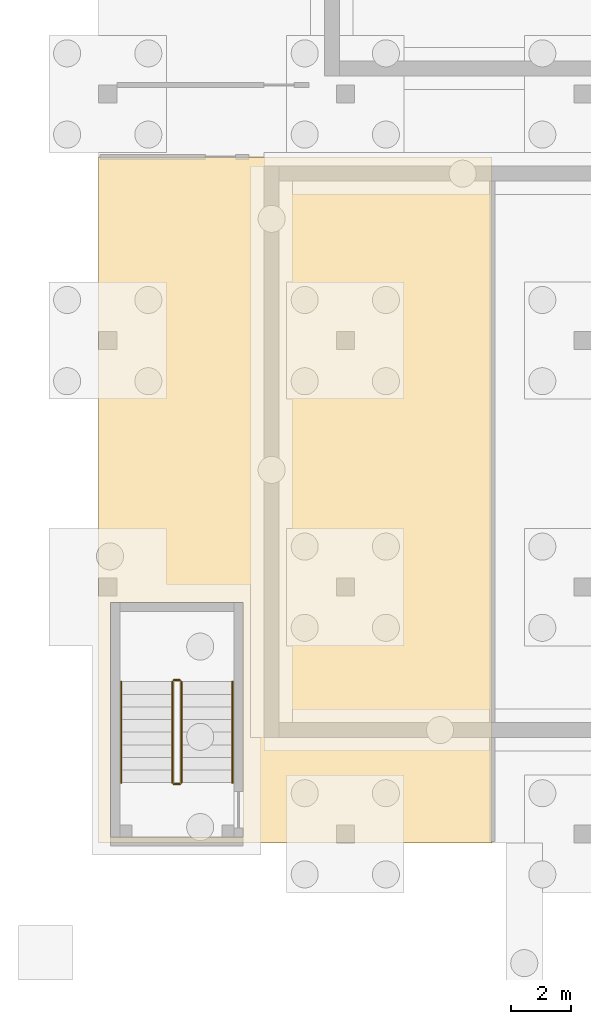
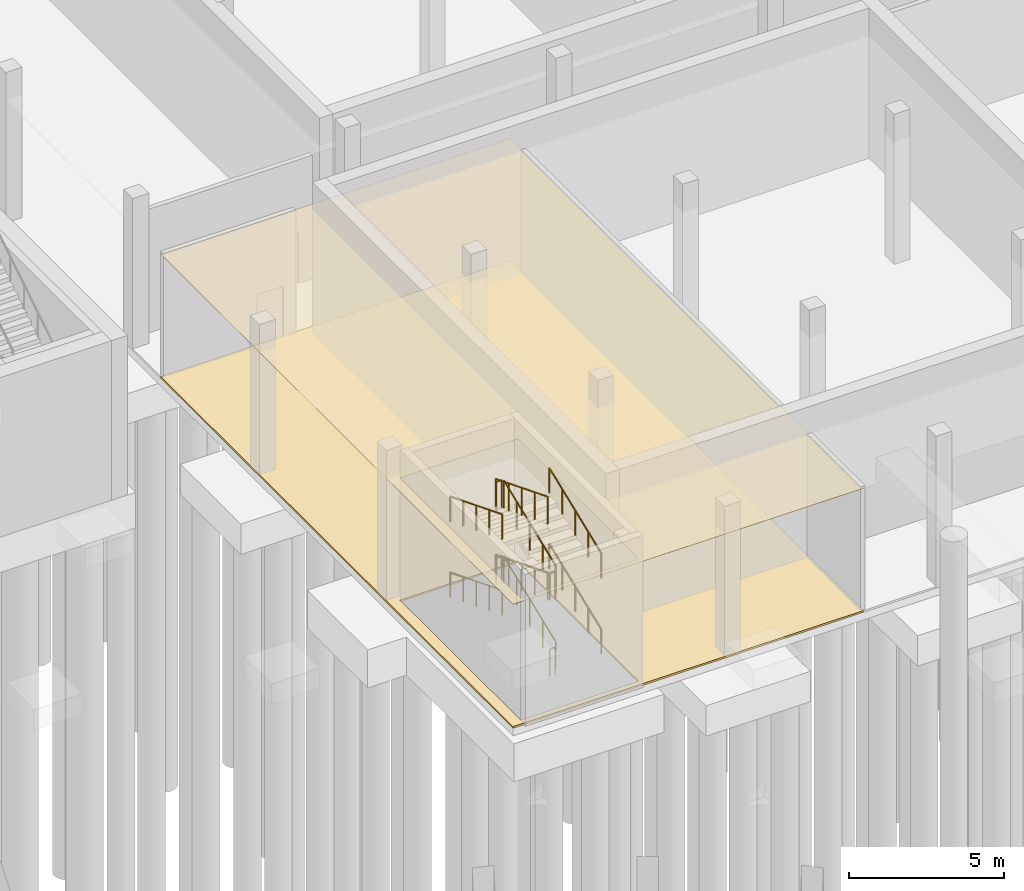
# One storey, part 60 of 66: 12 railings, 2 coverings.
"""IFC4 building model written with IfcOpenShell, lengths in metres."""

import ifcopenshell
import ifcopenshell.guid

model = None  # the IFC model being written
_history = None  # IfcOwnerHistory: only IFC2X3 demands one
_inside = {}  # id of a spatial element -> (the spatial element, [elements in it])
_under = {}  # id of a project, library or spatial element -> (it, [spatial elements below it])
_declared = {}  # id of a project -> (the project, [libraries it declares])
_typed = {}  # id of a type object -> (the type object, [elements of that type])
_made_of = {}  # id of a material, layer set ... -> (it, [elements and type objects made of it])


def new_model(schema):
    """Start an empty IFC model of exactly this schema.

    Asked for "IFC4X3", IfcOpenShell would pick the latest addendum, in which some entities
    have other attributes; the version numbers below select the first issue.
    IFC2X3 requires an IfcOwnerHistory on every rooted entity: one is made here for all.
    """
    global model, _history
    if schema == "IFC4X3":
        model = ifcopenshell.file(schema_version=(4, 3, 0, 0))
    else:
        model = ifcopenshell.file(schema=schema)
    _inside.clear()
    _under.clear()
    _declared.clear()
    _typed.clear()
    _made_of.clear()
    _history = None
    if model.schema == "IFC2X3":
        org = make("IfcOrganization", Name="unknown")
        user = make(
            "IfcPersonAndOrganization",
            ThePerson=make("IfcPerson", FamilyName="unknown"),
            TheOrganization=org,
        )
        app = make(
            "IfcApplication",
            ApplicationDeveloper=org,
            Version="unknown",
            ApplicationFullName="unknown",
            ApplicationIdentifier="unknown",
        )
        _history = make(
            "IfcOwnerHistory",
            OwningUser=user,
            OwningApplication=app,
            ChangeAction="ADDED",
            CreationDate=0,
        )
    return model


def make(cls, **values):
    """One entity of the class cls with the attributes given. An attribute that is None is left unset."""
    return model.create_entity(
        cls, **{name: value for name, value in values.items() if value is not None}
    )


def rooted(cls, **values):
    """An entity with a GlobalId (a new one), such as an element, a storey or a relation."""
    return make(cls, GlobalId=ifcopenshell.guid.new(), OwnerHistory=_history, **values)


def si_unit(unit_type, name, prefix=None):
    """IfcSIUnit, for example si_unit("LENGTHUNIT", "METRE", prefix="MILLI")."""
    return make("IfcSIUnit", UnitType=unit_type, Prefix=prefix, Name=name)


def assignment(units):
    """IfcUnitAssignment: the units of a project."""
    return None if units is None else make("IfcUnitAssignment", Units=units)


def point(xyz):
    """IfcCartesianPoint."""
    return None if xyz is None else make("IfcCartesianPoint", Coordinates=xyz)


def direction(xyz):
    """IfcDirection."""
    return None if xyz is None else make("IfcDirection", DirectionRatios=xyz)


def frame(location, z_axis=None, x_axis=None):
    """IfcAxis2Placement3D, a coordinate frame: its origin and axes. An axis left out is left unset."""
    return make(
        "IfcAxis2Placement3D",
        Location=point(location),
        Axis=direction(z_axis),
        RefDirection=direction(x_axis),
    )


def frame_2d(location, x_axis=None):
    """IfcAxis2Placement2D, a coordinate frame in the plane: its origin and x axis."""
    return make(
        "IfcAxis2Placement2D", Location=point(location), RefDirection=direction(x_axis)
    )


def origin():
    """The frame at (0, 0, 0) with its axes left unset."""
    return frame((0.0, 0.0, 0.0))


def origin_2d():
    """The frame at (0, 0) in the plane with its x axis left unset."""
    return frame_2d((0.0, 0.0))


def place(relative_to, where):
    """IfcLocalPlacement: puts the frame where relative to a parent placement (None: the world)."""
    return make(
        "IfcLocalPlacement", PlacementRelTo=relative_to, RelativePlacement=where
    )


def context(
    kind, dimensions, precision=None, world=None, true_north=None, identifier=None
):
    """IfcGeometricRepresentationContext, for example the 3D "Model" context."""
    return make(
        "IfcGeometricRepresentationContext",
        ContextIdentifier=identifier,
        ContextType=kind,
        CoordinateSpaceDimension=dimensions,
        Precision=precision,
        WorldCoordinateSystem=world,
        TrueNorth=true_north,
    )


def subcontext(parent, identifier, kind, view, scale=None):
    """IfcGeometricRepresentationSubContext, for example "Body" below "Model"."""
    return make(
        "IfcGeometricRepresentationSubContext",
        ContextIdentifier=identifier,
        ContextType=kind,
        ParentContext=parent,
        TargetScale=scale,
        TargetView=view,
    )


def project(units=None, contexts=None):
    """IfcProject with its units and contexts."""
    return rooted(
        "IfcProject",
        Name="project",
        RepresentationContexts=contexts,
        UnitsInContext=assignment(units),
    )


def spatial(cls, under=None, at=None, **own):
    """A site, building, storey or space (cls), placed at a placement, below another one or the project."""
    s = rooted(cls, ObjectPlacement=at, **own)
    if under is not None:
        _under.setdefault(under.id(), (under, []))[1].append(s)
    return s


def polyline(points):
    """IfcPolyline through the points."""
    return make("IfcPolyline", Points=[point(p) for p in points])


def profile(cls, at=None, kind="AREA", **sizes):
    """A parametric profile (cls). Its sizes go by their IFC names, for example OverallWidth=200.0."""
    return make(cls, ProfileType=kind, Position=at, **sizes)


def circle(**sizes):
    """IfcCircleProfileDef."""
    return profile("IfcCircleProfileDef", **sizes)


def outline(outer, holes=None, kind="AREA"):
    """IfcArbitraryClosedProfileDef: a profile drawn as a closed curve; with holes, ...WithVoids."""
    if holes is None:
        return make("IfcArbitraryClosedProfileDef", ProfileType=kind, OuterCurve=outer)
    return make(
        "IfcArbitraryProfileDefWithVoids",
        ProfileType=kind,
        OuterCurve=outer,
        InnerCurves=holes,
    )


def extrude(swept, where, along, depth):
    """IfcExtrudedAreaSolid: the profile swept, set in the frame where, extruded along a direction by depth."""
    return make(
        "IfcExtrudedAreaSolid",
        SweptArea=swept,
        Position=where,
        ExtrudedDirection=direction(along),
        Depth=depth,
    )


def shape(context_of_items, identifier, shape_type, items):
    """IfcShapeRepresentation: the items that make up one representation, for example the "Body"."""
    return make(
        "IfcShapeRepresentation",
        ContextOfItems=context_of_items,
        RepresentationIdentifier=identifier,
        RepresentationType=shape_type,
        Items=items,
    )


def material(Name=None, Category=None):
    """IfcMaterial."""
    return make("IfcMaterial", Name=Name, Category=Category)


def layer(
    of_material, thickness, ventilated=None, Name=None, Category=None, Priority=None
):
    """IfcMaterialLayer: one layer of a wall or slab, of a material (None: an air gap)."""
    return make(
        "IfcMaterialLayer",
        Material=of_material,
        LayerThickness=thickness,
        IsVentilated=ventilated,
        Name=Name,
        Category=Category,
        Priority=Priority,
    )


def layer_set(layers, Name=None):
    """IfcMaterialLayerSet."""
    return make("IfcMaterialLayerSet", MaterialLayers=layers, LayerSetName=Name)


def made_of(thing, what):
    """Note that an element or type object is made of a material, layer set ...; save() writes the relation."""
    if what is not None:
        _made_of.setdefault(what.id(), (what, []))[1].append(thing)
    return thing


def type_object(cls, material=None, **own):
    """A type object (cls), such as IfcWallType, which elements share."""
    return made_of(rooted(cls, **own), material)


def element(
    cls,
    number,
    at=None,
    inside=None,
    cuts=None,
    type_object=None,
    material=None,
    context=None,
    identifier="Body",
    shape_type=None,
    held_by="IfcProductDefinitionShape",
    body=None,
    shapes=None,
    **own,
):
    """One element of the class cls, such as IfcWall. Its Tag is "e" and its number.

    at: its placement. inside: the storey or other place that contains it. cuts: it is an
    opening in that element (IfcRelVoidsElement). A single representation is given by context,
    identifier, shape_type and body (its items); several are given by shapes. held_by: the class
    of the entity that holds the representations. save() writes the other relations.
    """
    e = rooted(cls, Tag="e%d" % number, ObjectPlacement=at, **own)
    if body is not None:
        shapes = [shape(context, identifier, shape_type, body)]
    if shapes is not None:
        e.Representation = make(held_by, Representations=shapes)
    if inside is not None:
        _inside.setdefault(inside.id(), (inside, []))[1].append(e)
    if cuts is not None:
        rooted(
            "IfcRelVoidsElement", RelatingBuildingElement=cuts, RelatedOpeningElement=e
        )
    if type_object is not None:
        _typed.setdefault(type_object.id(), (type_object, []))[1].append(e)
    return made_of(e, material)


def aggregate(whole, parts):
    """IfcRelAggregates: a whole, such as a stair, and the parts it consists of."""
    return rooted("IfcRelAggregates", RelatingObject=whole, RelatedObjects=parts)


def save(model, path):
    """Write the relations noted so far, then the file.

    IfcRelAggregates (storeys below a building ...), IfcRelContainedInSpatialStructure (elements
    in a storey), IfcRelDefinesByType, IfcRelAssociatesMaterial and IfcRelDeclares: one each for
    every whole, place, type object, material and project.
    """
    for whole, parts in _under.values():
        aggregate(whole, parts)
    for where, things in _inside.values():
        rooted(
            "IfcRelContainedInSpatialStructure",
            RelatedElements=things,
            RelatingStructure=where,
        )
    for kind, things in _typed.values():
        rooted("IfcRelDefinesByType", RelatedObjects=things, RelatingType=kind)
    for what, things in _made_of.values():
        rooted("IfcRelAssociatesMaterial", RelatedObjects=things, RelatingMaterial=what)
    for by, libraries in _declared.values():
        rooted("IfcRelDeclares", RelatingContext=by, RelatedDefinitions=libraries)
    model.write(path)


model = new_model("IFC4")

# Units and contexts
model_context = context("Model", 3, precision=1e-05, world=origin(), true_north=direction((0.0, 1.0)))
body_context = subcontext(model_context, "Body", "Model", "MODEL_VIEW")
ifc_project = project(units=[si_unit("LENGTHUNIT", "METRE"), si_unit("AREAUNIT", "SQUARE_METRE"), si_unit("VOLUMEUNIT", "CUBIC_METRE"), si_unit("PLANEANGLEUNIT", "RADIAN"), si_unit("MASSUNIT", "GRAM", prefix="KILO")], contexts=[model_context])

# Site, building, storey
site_placement = place(None, origin())
site = spatial("IfcSite", under=ifc_project, at=site_placement, CompositionType="ELEMENT")
building_placement = place(site_placement, origin())
building = spatial("IfcBuilding", under=site, at=building_placement, Name="Lunette Opera House", CompositionType="ELEMENT")
storey_placement = place(building_placement, frame((0.0, 0.0, -6.0)))
storey = spatial("IfcBuildingStorey", under=building, at=storey_placement, Name="B1", CompositionType="ELEMENT", Elevation=-6.0)

# Covering
ifc_material_1 = material(Name="Cement screed")
ifc_layer_1 = layer(ifc_material_1, 0.070068359375)
ifc_layer_set_1 = layer_set([ifc_layer_1], Name="Cement screed")
covering_type_1 = type_object("IfcCoveringType", Name="SCREED FLOOR FINISH 70", PredefinedType="FLOORING", material=ifc_layer_set_1)
covering_1_placement = place(storey_placement, origin())
element("IfcCovering", 1, at=covering_1_placement, inside=storey, type_object=covering_type_1, Name="Floor finish Furniture Store", PredefinedType="FLOORING", context=body_context, shape_type="SweptSolid", body=[
    extrude(outline(polyline([(136.0, 100.800048828125), (149.0849609375, 100.800048828125), (149.0849609375, 78.0), (136.0, 78.0), (136.0, 100.800048828125)]), holes=[polyline([(136.39990234375, 78.199951171875), (140.800048828125, 78.199951171875), (140.800048828125, 86.0), (136.39990234375, 86.0), (136.39990234375, 78.199951171875)])]), origin(), (0.0, 0.0, 1.0), 0.070068359375),
])

# Railings
ifc_material_2 = material(Name="Steel S355", Category="steel")
railing_type_1 = type_object("IfcRailingType", Name="STAIR GUARD 1100", PredefinedType="GUARDRAIL", material=ifc_material_2)
railing_1_placement = place(storey_placement, frame((138.75, 80.0, 0.166748046875)))
element("IfcRailing", 2, at=railing_1_placement, inside=storey, type_object=railing_type_1, Name="B1 ST18 stair guard 1", PredefinedType="GUARDRAIL", context=body_context, shape_type="SweptSolid", body=[
    extrude(circle(Radius=0.02392578125, at=origin_2d()), frame((0.0, 0.0, 1.076171875), z_axis=(0.0, 0.929502471486, 0.368815882931), x_axis=(-1.0, 0.0, 0.0)), (0.0, 0.0, 1.0), 3.614990234375),
    extrude(circle(Radius=0.02099609375, at=origin_2d()), origin(), (0.0, 0.0, 1.0), 1.052001953125),
    extrude(circle(Radius=0.02099609375, at=origin_2d()), frame((0.0, 0.840087890625, 0.333251953125)), (0.0, 0.0, 1.0), 1.052001953125),
    extrude(circle(Radius=0.02099609375, at=origin_2d()), frame((0.0, 1.68017578125, 0.66650390625)), (0.0, 0.0, 1.0), 1.052001953125),
    extrude(circle(Radius=0.02099609375, at=origin_2d()), frame((0.0, 2.52001953125, 1.0)), (0.0, 0.0, 1.0), 1.052001953125),
    extrude(circle(Radius=0.02099609375, at=origin_2d()), frame((0.0, 3.360107421875, 1.333251953125)), (0.0, 0.0, 1.0), 1.052001953125),
])
railing_2_placement = place(storey_placement, frame((138.699951171875, 83.409912109375, 1.5)))
element("IfcRailing", 3, at=railing_2_placement, inside=storey, type_object=railing_type_1, Name="B1 ST18 stair guard 2", PredefinedType="GUARDRAIL", context=body_context, shape_type="SweptSolid", body=[
    extrude(circle(Radius=0.02392578125, at=origin_2d()), frame((0.0, 0.0, 1.076171875), z_axis=(-1.0, 0.0, 0.0), x_axis=(0.0, -1.0, 0.0)), (0.0, 0.0, 1.0), 0.199951171875),
    extrude(circle(Radius=0.02099609375, at=origin_2d()), origin(), (0.0, 0.0, 1.0), 1.052001953125),
    extrude(circle(Radius=0.02099609375, at=origin_2d()), frame((-0.199951171875, 0.0, 0.0)), (0.0, 0.0, 1.0), 1.052001953125),
])
railing_3_placement = place(storey_placement, frame((138.449951171875, 83.360107421875, 1.666748046875)))
element("IfcRailing", 4, at=railing_3_placement, inside=storey, type_object=railing_type_1, Name="B1 ST18 stair guard 3", PredefinedType="GUARDRAIL", context=body_context, shape_type="SweptSolid", body=[
    extrude(circle(Radius=0.02392578125, at=origin_2d()), frame((0.0, 0.0, 1.076171875), z_axis=(0.0, -0.929502471486, 0.368815882931), x_axis=(1.0, 0.0, 0.0)), (0.0, 0.0, 1.0), 3.614990234375),
    extrude(circle(Radius=0.02099609375, at=origin_2d()), origin(), (0.0, 0.0, 1.0), 1.052001953125),
    extrude(circle(Radius=0.02099609375, at=origin_2d()), frame((0.0, -0.840087890625, 0.333251953125)), (0.0, 0.0, 1.0), 1.052001953125),
    extrude(circle(Radius=0.02099609375, at=origin_2d()), frame((0.0, -1.68017578125, 0.66650390625)), (0.0, 0.0, 1.0), 1.052001953125),
    extrude(circle(Radius=0.02099609375, at=origin_2d()), frame((0.0, -2.52001953125, 1.0)), (0.0, 0.0, 1.0), 1.052001953125),
    extrude(circle(Radius=0.02099609375, at=origin_2d()), frame((0.0, -3.360107421875, 1.333251953125)), (0.0, 0.0, 1.0), 1.052001953125),
])
railing_4_placement = place(storey_placement, frame((138.699951171875, 79.949951171875, 3.0)))
element("IfcRailing", 5, at=railing_4_placement, inside=storey, type_object=railing_type_1, Name="B1 ST18 stair guard 4", PredefinedType="GUARDRAIL", context=body_context, shape_type="SweptSolid", body=[
    extrude(circle(Radius=0.02392578125, at=origin_2d()), frame((0.0, 0.0, 1.076171875), z_axis=(-1.0, 0.0, 0.0), x_axis=(0.0, -1.0, 0.0)), (0.0, 0.0, 1.0), 0.199951171875),
    extrude(circle(Radius=0.02099609375, at=origin_2d()), origin(), (0.0, 0.0, 1.0), 1.052001953125),
    extrude(circle(Radius=0.02099609375, at=origin_2d()), frame((-0.199951171875, 0.0, 0.0)), (0.0, 0.0, 1.0), 1.052001953125),
])
railing_5_placement = place(storey_placement, frame((138.75, 80.0, 3.166748046875)))
element("IfcRailing", 6, at=railing_5_placement, inside=storey, type_object=railing_type_1, Name="B1 ST18 stair guard 5", PredefinedType="GUARDRAIL", context=body_context, shape_type="SweptSolid", body=[
    extrude(circle(Radius=0.02392578125, at=origin_2d()), frame((0.0, 0.0, 1.076171875), z_axis=(0.0, 0.929502471486, 0.368815882931), x_axis=(-1.0, 0.0, 0.0)), (0.0, 0.0, 1.0), 3.614990234375),
    extrude(circle(Radius=0.02099609375, at=origin_2d()), origin(), (0.0, 0.0, 1.0), 1.052001953125),
    extrude(circle(Radius=0.02099609375, at=origin_2d()), frame((0.0, 0.840087890625, 0.333251953125)), (0.0, 0.0, 1.0), 1.052001953125),
    extrude(circle(Radius=0.02099609375, at=origin_2d()), frame((0.0, 1.68017578125, 0.66650390625)), (0.0, 0.0, 1.0), 1.052001953125),
    extrude(circle(Radius=0.02099609375, at=origin_2d()), frame((0.0, 2.52001953125, 1.0)), (0.0, 0.0, 1.0), 1.052001953125),
    extrude(circle(Radius=0.02099609375, at=origin_2d()), frame((0.0, 3.360107421875, 1.333251953125)), (0.0, 0.0, 1.0), 1.052001953125),
])
railing_6_placement = place(storey_placement, frame((138.699951171875, 83.409912109375, 4.5)))
element("IfcRailing", 7, at=railing_6_placement, inside=storey, type_object=railing_type_1, Name="B1 ST18 stair guard 6", PredefinedType="GUARDRAIL", context=body_context, shape_type="SweptSolid", body=[
    extrude(circle(Radius=0.02392578125, at=origin_2d()), frame((0.0, 0.0, 1.076171875), z_axis=(-1.0, 0.0, 0.0), x_axis=(0.0, -1.0, 0.0)), (0.0, 0.0, 1.0), 0.199951171875),
    extrude(circle(Radius=0.02099609375, at=origin_2d()), origin(), (0.0, 0.0, 1.0), 1.052001953125),
    extrude(circle(Radius=0.02099609375, at=origin_2d()), frame((-0.199951171875, 0.0, 0.0)), (0.0, 0.0, 1.0), 1.052001953125),
])
railing_7_placement = place(storey_placement, frame((138.449951171875, 83.360107421875, 4.666748046875)))
element("IfcRailing", 8, at=railing_7_placement, inside=storey, type_object=railing_type_1, Name="B1 ST18 stair guard 7", PredefinedType="GUARDRAIL", context=body_context, shape_type="SweptSolid", body=[
    extrude(circle(Radius=0.02392578125, at=origin_2d()), frame((0.0, 0.0, 1.076171875), z_axis=(0.0, -0.929502471486, 0.368815882931), x_axis=(1.0, 0.0, 0.0)), (0.0, 0.0, 1.0), 3.614990234375),
    extrude(circle(Radius=0.02099609375, at=origin_2d()), origin(), (0.0, 0.0, 1.0), 1.052001953125),
    extrude(circle(Radius=0.02099609375, at=origin_2d()), frame((0.0, -0.840087890625, 0.333251953125)), (0.0, 0.0, 1.0), 1.052001953125),
    extrude(circle(Radius=0.02099609375, at=origin_2d()), frame((0.0, -1.68017578125, 0.66650390625)), (0.0, 0.0, 1.0), 1.052001953125),
    extrude(circle(Radius=0.02099609375, at=origin_2d()), frame((0.0, -2.52001953125, 1.0)), (0.0, 0.0, 1.0), 1.052001953125),
    extrude(circle(Radius=0.02099609375, at=origin_2d()), frame((0.0, -3.360107421875, 1.333251953125)), (0.0, 0.0, 1.0), 1.052001953125),
])
railing_8_placement = place(storey_placement, frame((138.699951171875, 79.949951171875, 0.0)))
element("IfcRailing", 9, at=railing_8_placement, inside=storey, type_object=railing_type_1, Name="B1 ST18 stair guard 8", PredefinedType="GUARDRAIL", context=body_context, shape_type="SweptSolid", body=[
    extrude(circle(Radius=0.02392578125, at=origin_2d()), frame((0.0, 0.0, 1.076171875), z_axis=(-1.0, 0.0, 0.0), x_axis=(0.0, -1.0, 0.0)), (0.0, 0.0, 1.0), 0.199951171875),
    extrude(circle(Radius=0.02099609375, at=origin_2d()), origin(), (0.0, 0.0, 1.0), 1.052001953125),
    extrude(circle(Radius=0.02099609375, at=origin_2d()), frame((-0.199951171875, 0.0, 0.0)), (0.0, 0.0, 1.0), 1.052001953125),
])
ifc_material_3 = material(Name="Steel S355", Category="steel")
railing_type_2 = type_object("IfcRailingType", Name="STAIR HANDRAIL 1000", PredefinedType="HANDRAIL", material=ifc_material_3)
railing_9_placement = place(storey_placement, frame((140.449951171875, 80.0, 0.166748046875)))
element("IfcRailing", 10, at=railing_9_placement, inside=storey, type_object=railing_type_2, Name="B1 ST18 stair handrail 1", PredefinedType="HANDRAIL", context=body_context, shape_type="SweptSolid", body=[
    extrude(circle(Radius=0.02392578125, at=origin_2d()), frame((0.0, 0.0, 0.97607421875), z_axis=(0.0, 0.929502471486, 0.368815882931), x_axis=(-1.0, 0.0, 0.0)), (0.0, 0.0, 1.0), 3.614990234375),
    extrude(circle(Radius=0.02099609375, at=origin_2d()), origin(), (0.0, 0.0, 1.0), 0.951904296875),
    extrude(circle(Radius=0.02099609375, at=origin_2d()), frame((0.0, 0.840087890625, 0.333251953125)), (0.0, 0.0, 1.0), 0.951904296875),
    extrude(circle(Radius=0.02099609375, at=origin_2d()), frame((0.0, 1.68017578125, 0.66650390625)), (0.0, 0.0, 1.0), 0.951904296875),
    extrude(circle(Radius=0.02099609375, at=origin_2d()), frame((0.0, 2.52001953125, 1.0)), (0.0, 0.0, 1.0), 0.951904296875),
    extrude(circle(Radius=0.02099609375, at=origin_2d()), frame((0.0, 3.360107421875, 1.333251953125)), (0.0, 0.0, 1.0), 0.951904296875),
])
railing_10_placement = place(storey_placement, frame((136.75, 83.360107421875, 1.666748046875)))
element("IfcRailing", 11, at=railing_10_placement, inside=storey, type_object=railing_type_2, Name="B1 ST18 stair handrail 2", PredefinedType="HANDRAIL", context=body_context, shape_type="SweptSolid", body=[
    extrude(circle(Radius=0.02392578125, at=origin_2d()), frame((0.0, 0.0, 0.97607421875), z_axis=(0.0, -0.929502471486, 0.368815882931), x_axis=(1.0, 0.0, 0.0)), (0.0, 0.0, 1.0), 3.614990234375),
    extrude(circle(Radius=0.02099609375, at=origin_2d()), origin(), (0.0, 0.0, 1.0), 0.951904296875),
    extrude(circle(Radius=0.02099609375, at=origin_2d()), frame((0.0, -0.840087890625, 0.333251953125)), (0.0, 0.0, 1.0), 0.951904296875),
    extrude(circle(Radius=0.02099609375, at=origin_2d()), frame((0.0, -1.68017578125, 0.66650390625)), (0.0, 0.0, 1.0), 0.951904296875),
    extrude(circle(Radius=0.02099609375, at=origin_2d()), frame((0.0, -2.52001953125, 1.0)), (0.0, 0.0, 1.0), 0.951904296875),
    extrude(circle(Radius=0.02099609375, at=origin_2d()), frame((0.0, -3.360107421875, 1.333251953125)), (0.0, 0.0, 1.0), 0.951904296875),
])
railing_11_placement = place(storey_placement, frame((140.449951171875, 80.0, 3.166748046875)))
element("IfcRailing", 12, at=railing_11_placement, inside=storey, type_object=railing_type_2, Name="B1 ST18 stair handrail 3", PredefinedType="HANDRAIL", context=body_context, shape_type="SweptSolid", body=[
    extrude(circle(Radius=0.02392578125, at=origin_2d()), frame((0.0, 0.0, 0.97607421875), z_axis=(0.0, 0.929502471486, 0.368815882931), x_axis=(-1.0, 0.0, 0.0)), (0.0, 0.0, 1.0), 3.614990234375),
    extrude(circle(Radius=0.02099609375, at=origin_2d()), origin(), (0.0, 0.0, 1.0), 0.951904296875),
    extrude(circle(Radius=0.02099609375, at=origin_2d()), frame((0.0, 0.840087890625, 0.333251953125)), (0.0, 0.0, 1.0), 0.951904296875),
    extrude(circle(Radius=0.02099609375, at=origin_2d()), frame((0.0, 1.68017578125, 0.66650390625)), (0.0, 0.0, 1.0), 0.951904296875),
    extrude(circle(Radius=0.02099609375, at=origin_2d()), frame((0.0, 2.52001953125, 1.0)), (0.0, 0.0, 1.0), 0.951904296875),
    extrude(circle(Radius=0.02099609375, at=origin_2d()), frame((0.0, 3.360107421875, 1.333251953125)), (0.0, 0.0, 1.0), 0.951904296875),
])
railing_12_placement = place(storey_placement, frame((136.75, 83.360107421875, 4.666748046875)))
element("IfcRailing", 13, at=railing_12_placement, inside=storey, type_object=railing_type_2, Name="B1 ST18 stair handrail 4", PredefinedType="HANDRAIL", context=body_context, shape_type="SweptSolid", body=[
    extrude(circle(Radius=0.02392578125, at=origin_2d()), frame((0.0, 0.0, 0.97607421875), z_axis=(0.0, -0.929502471486, 0.368815882931), x_axis=(1.0, 0.0, 0.0)), (0.0, 0.0, 1.0), 3.614990234375),
    extrude(circle(Radius=0.02099609375, at=origin_2d()), origin(), (0.0, 0.0, 1.0), 0.951904296875),
    extrude(circle(Radius=0.02099609375, at=origin_2d()), frame((0.0, -0.840087890625, 0.333251953125)), (0.0, 0.0, 1.0), 0.951904296875),
    extrude(circle(Radius=0.02099609375, at=origin_2d()), frame((0.0, -1.68017578125, 0.66650390625)), (0.0, 0.0, 1.0), 0.951904296875),
    extrude(circle(Radius=0.02099609375, at=origin_2d()), frame((0.0, -2.52001953125, 1.0)), (0.0, 0.0, 1.0), 0.951904296875),
    extrude(circle(Radius=0.02099609375, at=origin_2d()), frame((0.0, -3.360107421875, 1.333251953125)), (0.0, 0.0, 1.0), 0.951904296875),
])

# Covering
ifc_material_4 = material(Name="Mineral fibre board")
ifc_layer_2 = layer(ifc_material_4, 0.014892578125)
ifc_layer_set_2 = layer_set([ifc_layer_2], Name="Mineral fibre board")
covering_type_2 = type_object("IfcCoveringType", Name="SUSPENDED ACOUSTIC CEILING 15", PredefinedType="CEILING", material=ifc_layer_set_2)
covering_2_placement = place(storey_placement, frame((0.0, 0.0, 4.885009765625)))
element("IfcCovering", 14, at=covering_2_placement, inside=storey, type_object=covering_type_2, Name="Ceiling Furniture Store", PredefinedType="CEILING", context=body_context, shape_type="SweptSolid", body=[
    extrude(outline(polyline([(136.0, 100.800048828125), (149.0849609375, 100.800048828125), (149.0849609375, 78.0), (136.0, 78.0), (136.0, 100.800048828125)]), holes=[polyline([(136.39990234375, 78.199951171875), (140.800048828125, 78.199951171875), (140.800048828125, 86.0), (136.39990234375, 86.0), (136.39990234375, 78.199951171875)])]), origin(), (0.0, 0.0, 1.0), 0.014892578125),
])

save(model, "model.ifc")
